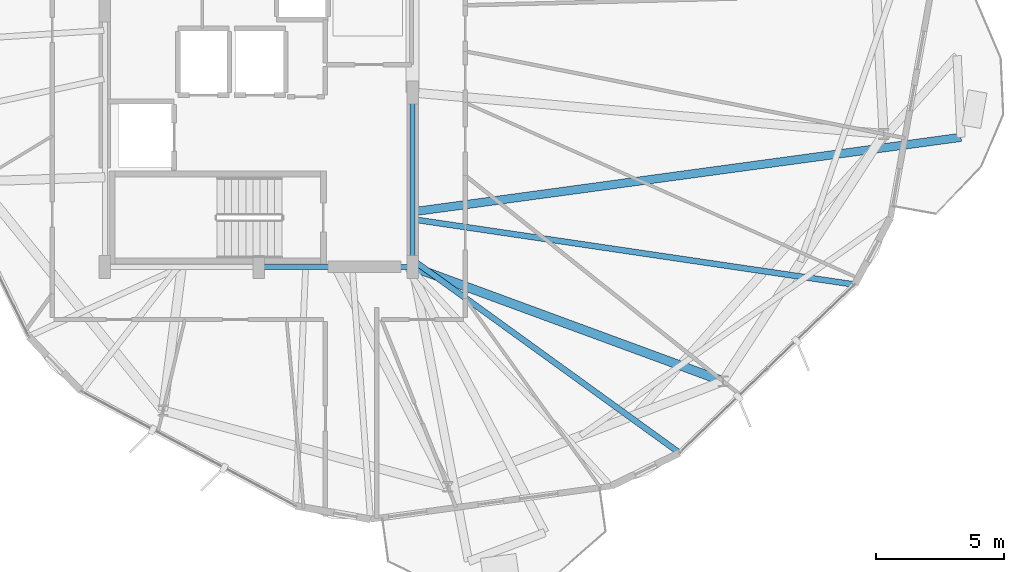
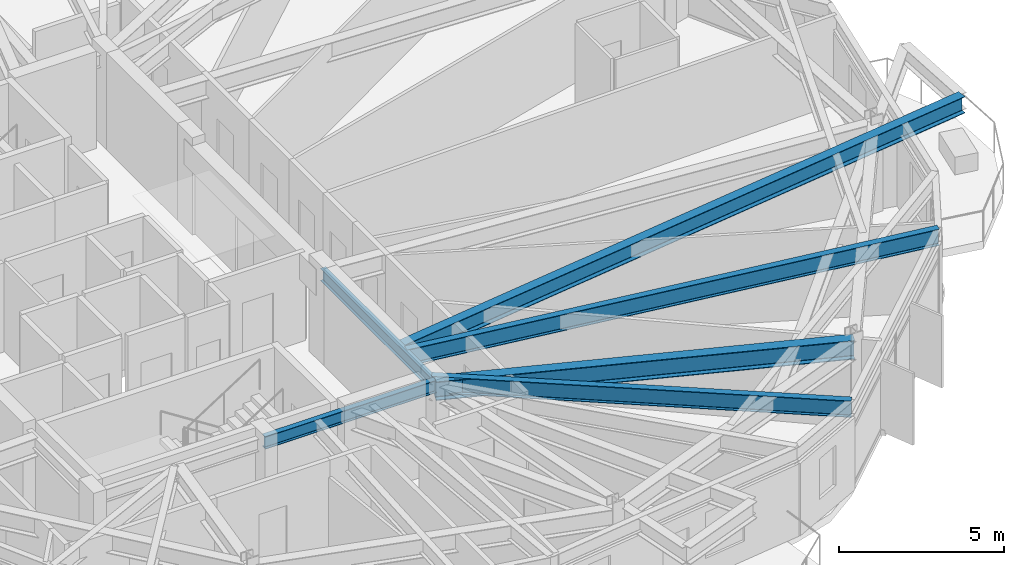
# One storey, part 7 of 26: 6 beams.
"""IFC4 building model written with IfcOpenShell, lengths in metres."""

from ifc_helpers import new_model, si_unit, direction, frame, origin, origin_2d, place, context, subcontext, project, spatial, i_section, extrude, material, material_profile, profile_set, type_object, element, save


model = new_model("IFC4")

# Units and contexts
model_context = context("Model", 3, precision=1e-05, world=origin(), true_north=direction((0.0, 1.0)))
body_context = subcontext(model_context, "Body", "Model", "MODEL_VIEW")
ifc_project = project(units=[si_unit("LENGTHUNIT", "METRE"), si_unit("AREAUNIT", "SQUARE_METRE"), si_unit("VOLUMEUNIT", "CUBIC_METRE"), si_unit("PLANEANGLEUNIT", "RADIAN"), si_unit("MASSUNIT", "GRAM", prefix="KILO")], contexts=[model_context])

# Site, building, storey
site_placement = place(None, origin())
site = spatial("IfcSite", under=ifc_project, at=site_placement, CompositionType="ELEMENT")
building_placement = place(site_placement, origin())
building = spatial("IfcBuilding", under=site, at=building_placement, Name="Soratama Intermodal Tower", CompositionType="ELEMENT")
storey_placement = place(building_placement, frame((0.0, 0.0, 194.199951171875)))
storey = spatial("IfcBuildingStorey", under=building, at=storey_placement, Name="L48", CompositionType="ELEMENT", Elevation=194.199951171875)

# Beams
ifc_material_1 = material(Name="Structural steel ASTM A992 Grade 50", Category="steel")
ifc_material_profile_1 = material_profile(ifc_material_1, i_section(OverallWidth=0.324951171875, OverallDepth=0.615966796875, WebThickness=0.013916015625, FlangeThickness=0.021484375, FilletRadius=0.013916015625, at=origin_2d()), Name="W24X117")
ifc_profile_set_1 = profile_set([ifc_material_profile_1], Name="Structural steel ASTM A992 Grade 50")
beam_type_1 = type_object("IfcBeamType", Name="BM-CANT-W24X117", PredefinedType="BEAM", material=ifc_profile_set_1)
beam_1_placement = place(storey_placement, frame((44.639892578125, 17.154052734375, 2.991943359375), z_axis=(0.990895370782, 0.134634186456, 0.0), x_axis=(-0.134634186456, 0.990895370782, 0.0)))
element("IfcBeam", 1, at=beam_1_placement, inside=storey, type_object=beam_type_1, Name="BM-L48-CANT-1-1", PredefinedType="BEAM", context=body_context, shape_type="SweptSolid", body=[
    extrude(i_section(OverallWidth=0.324951171875, OverallDepth=0.615966796875, WebThickness=0.013916015625, FlangeThickness=0.021484375, FilletRadius=0.013916015625, at=origin_2d()), origin(), (0.0, 0.0, 1.0), 21.5390625),
])
ifc_material_2 = material(Name="Structural steel ASTM A992 Grade 50", Category="steel")
ifc_material_profile_2 = material_profile(ifc_material_2, i_section(OverallWidth=0.19091796875, OverallDepth=0.4599609375, WebThickness=0.010009765625, FlangeThickness=0.01611328125, FilletRadius=0.010986328125, at=origin_2d()), Name="W18X55")
ifc_profile_set_2 = profile_set([ifc_material_profile_2], Name="Structural steel ASTM A992 Grade 50")
beam_type_2 = type_object("IfcBeamType", Name="BM-FLR-W18X55", PredefinedType="BEAM", material=ifc_profile_set_2)
beam_2_placement = place(storey_placement, frame((38.60009765625, 15.0, 3.070068359375), z_axis=(1.0, 0.0, 0.0), x_axis=(0.0, 1.0, 0.0)))
element("IfcBeam", 2, at=beam_2_placement, inside=storey, type_object=beam_type_2, Name="BM-L48-CRING-02", PredefinedType="BEAM", context=body_context, shape_type="SweptSolid", body=[
    extrude(i_section(OverallWidth=0.19091796875, OverallDepth=0.4599609375, WebThickness=0.010009765625, FlangeThickness=0.01611328125, FilletRadius=0.010986328125, at=origin_2d()), origin(), (0.0, 0.0, 1.0), 6.0),
])
beam_3_placement = place(storey_placement, frame((44.60009765625, 15.0, 3.070068359375), z_axis=(0.0, 1.0, 0.0), x_axis=(-1.0, 0.0, 0.0)))
element("IfcBeam", 3, at=beam_3_placement, inside=storey, type_object=beam_type_2, Name="BM-L48-CRING-03", PredefinedType="BEAM", context=body_context, shape_type="SweptSolid", body=[
    extrude(i_section(OverallWidth=0.19091796875, OverallDepth=0.4599609375, WebThickness=0.010009765625, FlangeThickness=0.01611328125, FilletRadius=0.010986328125, at=origin_2d()), origin(), (0.0, 0.0, 1.0), 6.800048828125),
])
ifc_material_3 = material(Name="Structural steel ASTM A992 Grade 50", Category="steel")
ifc_material_profile_3 = material_profile(ifc_material_3, i_section(OverallWidth=0.35498046875, OverallDepth=0.695068359375, WebThickness=0.015380859375, FlangeThickness=0.02490234375, FilletRadius=0.01611328125, at=origin_2d()), Name="W27X146")
ifc_profile_set_3 = profile_set([ifc_material_profile_3], Name="Structural steel ASTM A992 Grade 50")
beam_type_3 = type_object("IfcBeamType", Name="BM-RING-W27X146", PredefinedType="BEAM", material=ifc_profile_set_3)
beam_4_placement = place(storey_placement, frame((44.60009765625, 15.0, 2.95263671875), z_axis=(0.938460043872, -0.345387819785, 0.0), x_axis=(0.345387819785, 0.938460043872, 0.0)))
element("IfcBeam", 4, at=beam_4_placement, inside=storey, type_object=beam_type_3, Name="BM-L48-RAD-09", PredefinedType="BEAM", context=body_context, shape_type="SweptSolid", body=[
    extrude(i_section(OverallWidth=0.35498046875, OverallDepth=0.695068359375, WebThickness=0.015380859375, FlangeThickness=0.02490234375, FilletRadius=0.01611328125, at=origin_2d()), origin(), (0.0, 0.0, 1.0), 12.898681640625),
])
ifc_material_4 = material(Name="Structural steel ASTM A992 Grade 50", Category="steel")
ifc_material_profile_4 = material_profile(ifc_material_4, i_section(OverallWidth=0.22900390625, OverallDepth=0.612060546875, WebThickness=0.011962890625, FlangeThickness=0.01953125, FilletRadius=0.012939453125, at=origin_2d()), Name="W24X84")
ifc_profile_set_4 = profile_set([ifc_material_profile_4], Name="Structural steel ASTM A992 Grade 50")
beam_type_4 = type_object("IfcBeamType", Name="BM-TIE-W24X84", PredefinedType="BEAM", material=ifc_profile_set_4)
beam_5_placement = place(storey_placement, frame((44.632080078125, 15.25390625, 2.994140625), z_axis=(0.810319164419, -0.585988781271, 0.0), x_axis=(0.585988781271, 0.810319164419, 0.0)))
element("IfcBeam", 5, at=beam_5_placement, inside=storey, type_object=beam_type_4, Name="BM-L48-TIE0-08", PredefinedType="BEAM", context=body_context, shape_type="SweptSolid", body=[
    extrude(i_section(OverallWidth=0.22900390625, OverallDepth=0.612060546875, WebThickness=0.011962890625, FlangeThickness=0.01953125, FilletRadius=0.012939453125, at=origin_2d()), origin(), (0.0, 0.0, 1.0), 12.80712890625),
])
beam_6_placement = place(storey_placement, frame((44.639892578125, 16.85302734375, 2.994140625), z_axis=(0.989261890551, -0.14615372696, 0.0), x_axis=(0.14615372696, 0.989261890551, 0.0)))
element("IfcBeam", 6, at=beam_6_placement, inside=storey, type_object=beam_type_4, Name="BM-L48-TIE1-08", PredefinedType="BEAM", context=body_context, shape_type="SweptSolid", body=[
    extrude(i_section(OverallWidth=0.22900390625, OverallDepth=0.612060546875, WebThickness=0.011962890625, FlangeThickness=0.01953125, FilletRadius=0.012939453125, at=origin_2d()), origin(), (0.0, 0.0, 1.0), 17.385986328125),
])

save(model, "model.ifc")
